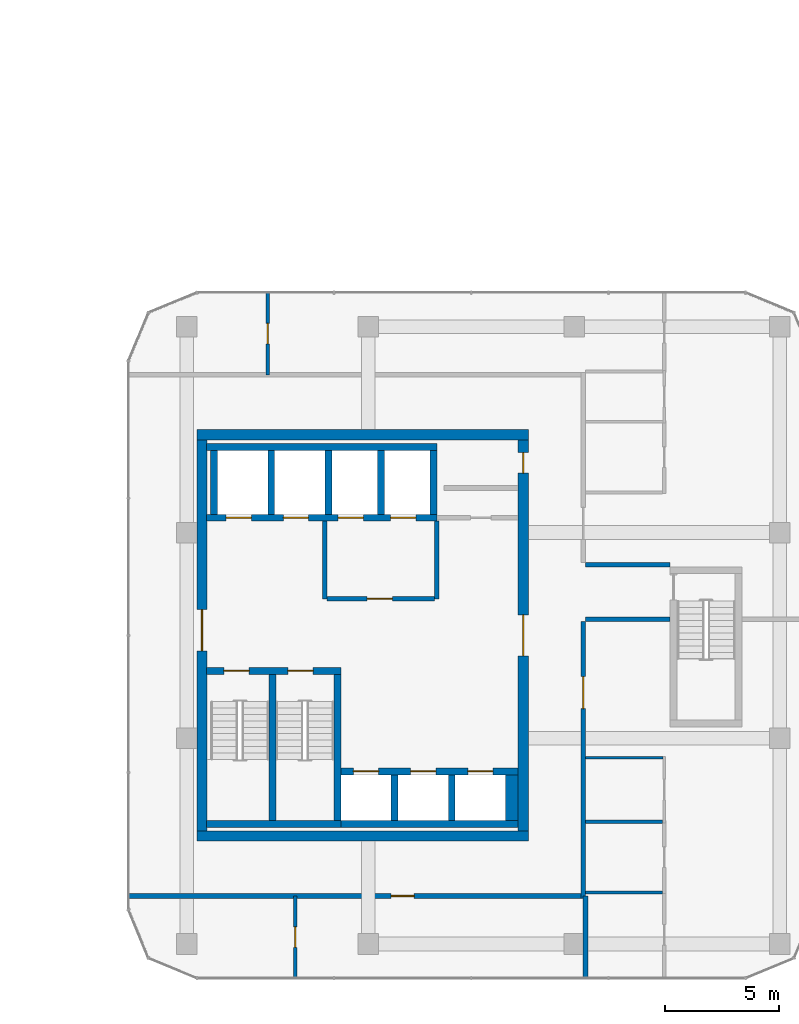
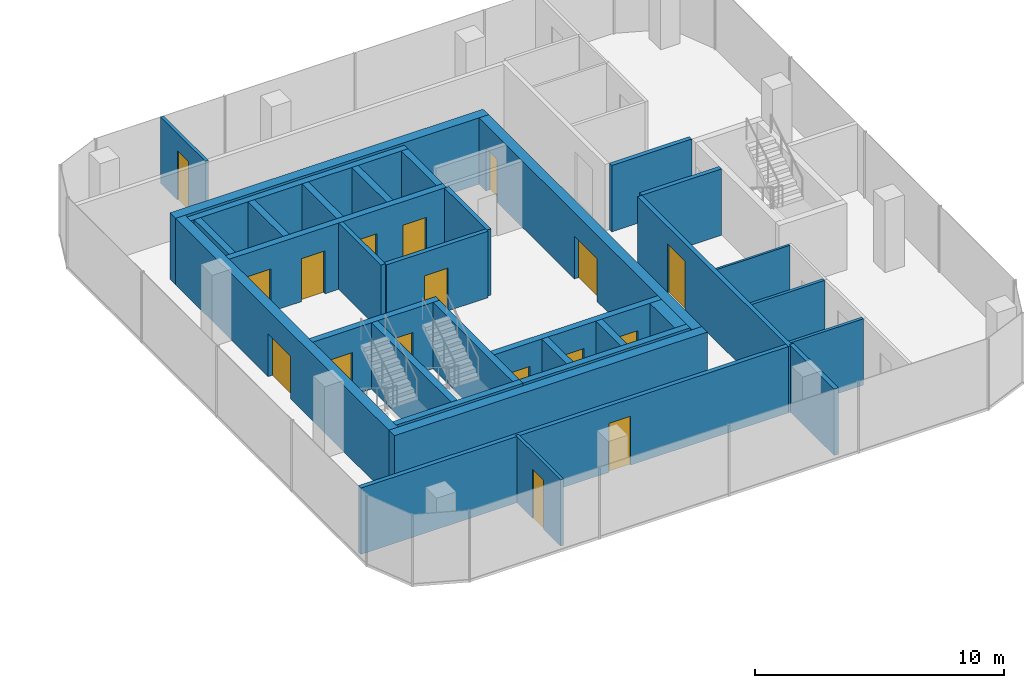
# One storey, part 18 of 27: 33 walls, 17 doors, 17 openings.
"""IFC4 building model written with IfcOpenShell, lengths in metres."""

from ifc_helpers import new_model, si_unit, direction, frame, frame_2d, origin, place, context, subcontext, project, spatial, rectangle, extrude, material, layer, layer_set, type_object, element, fill, save


model = new_model("IFC4")

# Units and contexts
model_context = context("Model", 3, precision=1e-05, world=origin(), true_north=direction((0.0, 1.0)))
body_context = subcontext(model_context, "Body", "Model", "MODEL_VIEW")
ifc_project = project(units=[si_unit("LENGTHUNIT", "METRE"), si_unit("AREAUNIT", "SQUARE_METRE"), si_unit("VOLUMEUNIT", "CUBIC_METRE"), si_unit("PLANEANGLEUNIT", "RADIAN"), si_unit("MASSUNIT", "GRAM", prefix="KILO")], contexts=[model_context])

# Site, building, storey
site_placement = place(None, origin())
site = spatial("IfcSite", under=ifc_project, at=site_placement, CompositionType="ELEMENT")
building_placement = place(site_placement, origin())
building = spatial("IfcBuilding", under=site, at=building_placement, Name="Plateau Cross Towers", CompositionType="ELEMENT")
storey_placement = place(building_placement, frame((0.0, 0.0, 78.300048828125)))
storey = spatial("IfcBuildingStorey", under=building, at=storey_placement, Name="L19", CompositionType="ELEMENT", Elevation=78.300048828125)

# Wall
ifc_material_1 = material(Name="Concrete block, plastered both sides", Category="concrete")
ifc_layer_1 = layer(ifc_material_1, 0.199951171875)
ifc_layer_set_1 = layer_set([ifc_layer_1], Name="Concrete block, plastered both sides")
wall_type_1 = type_object("IfcWallType", Name="Core partition 200", PredefinedType="PARTITIONING", material=ifc_layer_set_1)
wall_1_placement = place(storey_placement, frame((80.60009765625, 10.60009765625, 0.0), z_axis=(0.0, 0.0, 1.0), x_axis=(0.0, 1.0, 0.0)))
element("IfcWall", 1, at=wall_1_placement, inside=storey, type_object=wall_type_1, Name="Core partition", PredefinedType="PARTITIONING", context=body_context, shape_type="SweptSolid", body=[
    extrude(rectangle(XDim=3.39990234375, YDim=0.199951171875, at=frame_2d((1.699951171875, 0.0))), origin(), (0.0, 0.0, 1.0), 3.25),
])

# Wall, opening, door
wall_2_placement = place(storey_placement, frame((80.699951171875, 10.60009765625, 0.0), z_axis=(0.0, 0.0, 1.0), x_axis=(1.0, 0.0, 0.0)))
wall_2 = element("IfcWall", 2, at=wall_2_placement, inside=storey, type_object=wall_type_1, Name="Core partition", PredefinedType="PARTITIONING", context=body_context, shape_type="SweptSolid", body=[
    extrude(rectangle(XDim=4.699951171875, YDim=0.199951171875, at=frame_2d((2.35009765625, 0.0))), origin(), (0.0, 0.0, 1.0), 3.25),
])
opening_1_placement = place(wall_2_placement, frame((1.75, 0.0, 0.0)))
opening_1 = element("IfcOpeningElement", 3, at=opening_1_placement, cuts=wall_2, Name="Opening FFD", PredefinedType="OPENING", context=body_context, shape_type="SweptSolid", body=[
    extrude(rectangle(XDim=1.10009765625, YDim=2.10009765625, at=frame_2d((0.550048828125, 1.050048828125))), frame((0.0, 0.10986328125, 0.0), z_axis=(0.0, -1.0, 0.0), x_axis=(1.0, 0.0, 0.0)), (0.0, 0.0, 1.0), 0.219970703125),
])
ifc_material_2 = material(Name="Steel, fire-resisting leaf", Category="steel")
door_type_1 = type_object("IfcDoorType", Name="Firefighting lobby door 1100", OperationType="NOTDEFINED", PredefinedType="DOOR", material=ifc_material_2)
door_1_placement = place(opening_1_placement, origin())
door_1 = element("IfcDoor", 4, at=door_1_placement, inside=storey, type_object=door_type_1, Name="Firefighting lobby door FFD", OperationType="SINGLE_SWING_LEFT", OverallHeight=2.10009765625, OverallWidth=1.10009765625, PredefinedType="DOOR", context=body_context, shape_type="SweptSolid", body=[
    extrude(rectangle(XDim=1.10009765625, YDim=2.10009765625, at=frame_2d((0.550048828125, 1.050048828125))), frame((0.0, 0.02490234375, 0.0), z_axis=(0.0, -1.0, 0.0), x_axis=(1.0, 0.0, 0.0)), (0.0, 0.0, 1.0), 0.050048828125),
])
fill(opening_1, door_1)

# Walls
wall_3_placement = place(storey_placement, frame((85.5, 10.60009765625, 0.0), z_axis=(0.0, 0.0, 1.0), x_axis=(0.0, 1.0, 0.0)))
element("IfcWall", 5, at=wall_3_placement, inside=storey, type_object=wall_type_1, Name="Core partition", PredefinedType="PARTITIONING", context=body_context, shape_type="SweptSolid", body=[
    extrude(rectangle(XDim=3.39990234375, YDim=0.199951171875, at=frame_2d((1.699951171875, 0.0))), origin(), (0.0, 0.0, 1.0), 3.25),
])
ifc_material_3 = material(Name="Concrete C60/75", Category="concrete")
ifc_layer_2 = layer(ifc_material_3, 0.300048828125)
ifc_layer_set_2 = layer_set([ifc_layer_2], Name="Concrete C60/75")
wall_type_2 = type_object("IfcWallType", Name="Core shaft wall 300", PredefinedType="SHEAR", material=ifc_layer_set_2)
wall_4_placement = place(storey_placement, frame((75.429931640625, 0.75, 0.0), z_axis=(0.0, 0.0, 1.0), x_axis=(1.0, 0.0, 0.0)))
element("IfcWall", 6, at=wall_4_placement, inside=storey, type_object=wall_type_2, Name="B-sb-stS@L19", PredefinedType="SHEAR", context=body_context, shape_type="SweptSolid", body=[
    extrude(rectangle(XDim=5.8701171875, YDim=0.300048828125, at=frame_2d((2.93505859375, 0.0))), origin(), (0.0, 0.0, 1.0), 3.25),
])

# Wall, openings, doors
wall_5_placement = place(storey_placement, frame((75.429931640625, 7.449951171875, 0.0), z_axis=(0.0, 0.0, 1.0), x_axis=(1.0, 0.0, 0.0)))
wall_5 = element("IfcWall", 7, at=wall_5_placement, inside=storey, type_object=wall_type_2, Name="B-sb-stN@L19", PredefinedType="SHEAR", context=body_context, shape_type="SweptSolid", body=[
    extrude(rectangle(XDim=5.8701171875, YDim=0.300048828125, at=frame_2d((2.93505859375, 0.0))), origin(), (0.0, 0.0, 1.0), 3.25),
])
opening_2_placement = place(wall_5_placement, frame((0.75, 0.0, 0.0)))
opening_2 = element("IfcOpeningElement", 8, at=opening_2_placement, cuts=wall_5, Name="Opening SD", PredefinedType="OPENING", context=body_context, shape_type="SweptSolid", body=[
    extrude(rectangle(XDim=1.10009765625, YDim=2.10009765625, at=frame_2d((0.550048828125, 1.050048828125))), frame((0.0, 0.159912109375, 0.0), z_axis=(0.0, -1.0, 0.0), x_axis=(1.0, 0.0, 0.0)), (0.0, 0.0, 1.0), 0.320068359375),
])
opening_3_placement = place(wall_5_placement, frame((3.550048828125, 0.0, 0.0)))
opening_3 = element("IfcOpeningElement", 9, at=opening_3_placement, cuts=wall_5, Name="Opening SD", PredefinedType="OPENING", context=body_context, shape_type="SweptSolid", body=[
    extrude(rectangle(XDim=1.10009765625, YDim=2.10009765625, at=frame_2d((0.550048828125, 1.050048828125))), frame((0.0, 0.159912109375, 0.0), z_axis=(0.0, -1.0, 0.0), x_axis=(1.0, 0.0, 0.0)), (0.0, 0.0, 1.0), 0.320068359375),
])
door_type_2 = type_object("IfcDoorType", Name="Stair door 1100", OperationType="NOTDEFINED", PredefinedType="DOOR", material=ifc_material_2)
door_2_placement = place(opening_2_placement, origin())
door_2 = element("IfcDoor", 10, at=door_2_placement, inside=storey, type_object=door_type_2, Name="Stair door SD", OperationType="SINGLE_SWING_RIGHT", OverallHeight=2.10009765625, OverallWidth=1.10009765625, PredefinedType="DOOR", context=body_context, shape_type="SweptSolid", body=[
    extrude(rectangle(XDim=1.10009765625, YDim=2.10009765625, at=frame_2d((0.550048828125, 1.050048828125))), frame((0.0, 0.02490234375, 0.0), z_axis=(0.0, -1.0, 0.0), x_axis=(1.0, 0.0, 0.0)), (0.0, 0.0, 1.0), 0.050048828125),
])
fill(opening_2, door_2)
door_3_placement = place(opening_3_placement, origin())
door_3 = element("IfcDoor", 11, at=door_3_placement, inside=storey, type_object=door_type_2, Name="Stair door SD", OperationType="SINGLE_SWING_LEFT", OverallHeight=2.10009765625, OverallWidth=1.10009765625, PredefinedType="DOOR", context=body_context, shape_type="SweptSolid", body=[
    extrude(rectangle(XDim=1.10009765625, YDim=2.10009765625, at=frame_2d((0.550048828125, 1.050048828125))), frame((0.0, 0.02490234375, 0.0), z_axis=(0.0, -1.0, 0.0), x_axis=(1.0, 0.0, 0.0)), (0.0, 0.0, 1.0), 0.050048828125),
])
fill(opening_3, door_3)

# Walls
for number, where, z_axis, x_axis, name in (
    (12, (78.300048828125, 0.89990234375, 0.0), (0.0, 0.0, 1.0), (0.0, 1.0, 0.0), "B-sb-st1@L19"),
    (13, (81.14990234375, 0.89990234375, 0.0), (0.0, 0.0, 1.0), (0.0, 1.0, 0.0), "B-sb-st2@L19"),
):
    element("IfcWall", number, at=place(storey_placement, frame(where, z_axis=z_axis, x_axis=x_axis)), inside=storey, type_object=wall_type_2, Name=name, PredefinedType="SHEAR", context=body_context, shape_type="SweptSolid", body=[
        extrude(rectangle(XDim=6.400146484375, YDim=0.300048828125, at=frame_2d((3.2001953125, 0.0))), origin(), (0.0, 0.0, 1.0), 3.25),
    ])
wall_6_placement = place(storey_placement, frame((81.300048828125, 0.75, 0.0), z_axis=(0.0, 0.0, 1.0), x_axis=(1.0, 0.0, 0.0)))
element("IfcWall", 14, at=wall_6_placement, inside=storey, type_object=wall_type_2, Name="B-sb-back@L19", PredefinedType="SHEAR", context=body_context, shape_type="SweptSolid", body=[
    extrude(rectangle(XDim=7.75, YDim=0.300048828125, at=frame_2d((3.875, 0.0))), origin(), (0.0, 0.0, 1.0), 3.25),
])
for number, where, z_axis, x_axis, name in (
    (15, (83.64990234375, 0.89990234375, 0.0), (0.0, 0.0, 1.0), (0.0, 1.0, 0.0), "B-sb-v1@L19"),
    (16, (86.14990234375, 0.89990234375, 0.0), (0.0, 0.0, 1.0), (0.0, 1.0, 0.0), "B-sb-v2@L19"),
):
    element("IfcWall", number, at=place(storey_placement, frame(where, z_axis=z_axis, x_axis=x_axis)), inside=storey, type_object=wall_type_2, Name=name, PredefinedType="SHEAR", context=body_context, shape_type="SweptSolid", body=[
        extrude(rectangle(XDim=2.0, YDim=0.300048828125, at=frame_2d((1.0, 0.0))), origin(), (0.0, 0.0, 1.0), 3.25),
    ])

# Wall, openings, doors
wall_7_placement = place(storey_placement, frame((81.300048828125, 3.050048828125, 0.0), z_axis=(0.0, 0.0, 1.0), x_axis=(1.0, 0.0, 0.0)))
wall_7 = element("IfcWall", 17, at=wall_7_placement, inside=storey, type_object=wall_type_2, Name="B-sb-front@L19", PredefinedType="SHEAR", context=body_context, shape_type="SweptSolid", body=[
    extrude(rectangle(XDim=7.75, YDim=0.300048828125, at=frame_2d((3.875, 0.0))), origin(), (0.0, 0.0, 1.0), 3.25),
])
opening_4_placement = place(wall_7_placement, frame((0.550048828125, 0.0, 0.0)))
opening_4 = element("IfcOpeningElement", 18, at=opening_4_placement, cuts=wall_7, Name="Opening LD", PredefinedType="OPENING", context=body_context, shape_type="SweptSolid", body=[
    extrude(rectangle(XDim=1.10009765625, YDim=2.10009765625, at=frame_2d((0.550048828125, 1.050048828125))), frame((0.0, 0.159912109375, 0.0), z_axis=(0.0, -1.0, 0.0), x_axis=(1.0, 0.0, 0.0)), (0.0, 0.0, 1.0), 0.320068359375),
])
opening_5_placement = place(wall_7_placement, frame((3.050048828125, 0.0, 0.0)))
opening_5 = element("IfcOpeningElement", 19, at=opening_5_placement, cuts=wall_7, Name="Opening LD", PredefinedType="OPENING", context=body_context, shape_type="SweptSolid", body=[
    extrude(rectangle(XDim=1.10009765625, YDim=2.10009765625, at=frame_2d((0.550048828125, 1.050048828125))), frame((0.0, 0.159912109375, 0.0), z_axis=(0.0, -1.0, 0.0), x_axis=(1.0, 0.0, 0.0)), (0.0, 0.0, 1.0), 0.320068359375),
])
opening_6_placement = place(wall_7_placement, frame((5.550048828125, 0.0, 0.0)))
opening_6 = element("IfcOpeningElement", 20, at=opening_6_placement, cuts=wall_7, Name="Opening LD", PredefinedType="OPENING", context=body_context, shape_type="SweptSolid", body=[
    extrude(rectangle(XDim=1.10009765625, YDim=2.10009765625, at=frame_2d((0.550048828125, 1.050048828125))), frame((0.0, 0.159912109375, 0.0), z_axis=(0.0, -1.0, 0.0), x_axis=(1.0, 0.0, 0.0)), (0.0, 0.0, 1.0), 0.320068359375),
])
ifc_material_4 = material(Name="Stainless steel, fire-resisting sliding leaves", Category="steel")
door_type_3 = type_object("IfcDoorType", Name="Lift landing door 1100", OperationType="NOTDEFINED", PredefinedType="DOOR", material=ifc_material_4)
door_4_placement = place(opening_4_placement, origin())
door_4 = element("IfcDoor", 21, at=door_4_placement, inside=storey, type_object=door_type_3, Name="Lift landing door LD", OperationType="DOUBLE_DOOR_SLIDING", OverallHeight=2.10009765625, OverallWidth=1.10009765625, PredefinedType="DOOR", context=body_context, shape_type="SweptSolid", body=[
    extrude(rectangle(XDim=1.10009765625, YDim=2.10009765625, at=frame_2d((0.550048828125, 1.050048828125))), frame((0.0, 0.02490234375, 0.0), z_axis=(0.0, -1.0, 0.0), x_axis=(1.0, 0.0, 0.0)), (0.0, 0.0, 1.0), 0.050048828125),
])
fill(opening_4, door_4)
door_5_placement = place(opening_5_placement, origin())
door_5 = element("IfcDoor", 22, at=door_5_placement, inside=storey, type_object=door_type_3, Name="Lift landing door LD", OperationType="DOUBLE_DOOR_SLIDING", OverallHeight=2.10009765625, OverallWidth=1.10009765625, PredefinedType="DOOR", context=body_context, shape_type="SweptSolid", body=[
    extrude(rectangle(XDim=1.10009765625, YDim=2.10009765625, at=frame_2d((0.550048828125, 1.050048828125))), frame((0.0, 0.02490234375, 0.0), z_axis=(0.0, -1.0, 0.0), x_axis=(1.0, 0.0, 0.0)), (0.0, 0.0, 1.0), 0.050048828125),
])
fill(opening_5, door_5)
door_6_placement = place(opening_6_placement, origin())
door_6 = element("IfcDoor", 23, at=door_6_placement, inside=storey, type_object=door_type_3, Name="Lift landing door LD", OperationType="DOUBLE_DOOR_SLIDING", OverallHeight=2.10009765625, OverallWidth=1.10009765625, PredefinedType="DOOR", context=body_context, shape_type="SweptSolid", body=[
    extrude(rectangle(XDim=1.10009765625, YDim=2.10009765625, at=frame_2d((0.550048828125, 1.050048828125))), frame((0.0, 0.02490234375, 0.0), z_axis=(0.0, -1.0, 0.0), x_axis=(1.0, 0.0, 0.0)), (0.0, 0.0, 1.0), 0.050048828125),
])
fill(opening_6, door_6)

# Wall
wall_8_placement = place(storey_placement, frame((75.429931640625, 17.25, 0.0), z_axis=(0.0, 0.0, 1.0), x_axis=(1.0, 0.0, 0.0)))
element("IfcWall", 24, at=wall_8_placement, inside=storey, type_object=wall_type_2, Name="B-nb-back@L19", PredefinedType="SHEAR", context=body_context, shape_type="SweptSolid", body=[
    extrude(rectangle(XDim=10.070068359375, YDim=0.300048828125, at=frame_2d((5.03515625, 0.0))), origin(), (0.0, 0.0, 1.0), 3.25),
])

# Wall, openings, doors
wall_9_placement = place(storey_placement, frame((75.429931640625, 14.14990234375, 0.0), z_axis=(0.0, 0.0, 1.0), x_axis=(1.0, 0.0, 0.0)))
wall_9 = element("IfcWall", 25, at=wall_9_placement, inside=storey, type_object=wall_type_2, Name="B-nb-front@L19", PredefinedType="SHEAR", context=body_context, shape_type="SweptSolid", body=[
    extrude(rectangle(XDim=10.070068359375, YDim=0.300048828125, at=frame_2d((5.03515625, 0.0))), origin(), (0.0, 0.0, 1.0), 3.25),
])
opening_7_placement = place(wall_9_placement, frame((0.85009765625, 0.0, 0.0)))
opening_7 = element("IfcOpeningElement", 26, at=opening_7_placement, cuts=wall_9, Name="Opening LD", PredefinedType="OPENING", context=body_context, shape_type="SweptSolid", body=[
    extrude(rectangle(XDim=1.10009765625, YDim=2.10009765625, at=frame_2d((0.550048828125, 1.050048828125))), frame((0.0, 0.159912109375, 0.0), z_axis=(0.0, -1.0, 0.0), x_axis=(1.0, 0.0, 0.0)), (0.0, 0.0, 1.0), 0.320068359375),
])
opening_8_placement = place(wall_9_placement, frame((3.35009765625, 0.0, 0.0)))
opening_8 = element("IfcOpeningElement", 27, at=opening_8_placement, cuts=wall_9, Name="Opening LD", PredefinedType="OPENING", context=body_context, shape_type="SweptSolid", body=[
    extrude(rectangle(XDim=1.10009765625, YDim=2.10009765625, at=frame_2d((0.550048828125, 1.050048828125))), frame((0.0, 0.159912109375, 0.0), z_axis=(0.0, -1.0, 0.0), x_axis=(1.0, 0.0, 0.0)), (0.0, 0.0, 1.0), 0.320068359375),
])
opening_9_placement = place(wall_9_placement, frame((5.75, 0.0, 0.0)))
opening_9 = element("IfcOpeningElement", 28, at=opening_9_placement, cuts=wall_9, Name="Opening LD", PredefinedType="OPENING", context=body_context, shape_type="SweptSolid", body=[
    extrude(rectangle(XDim=1.10009765625, YDim=2.10009765625, at=frame_2d((0.550048828125, 1.050048828125))), frame((0.0, 0.159912109375, 0.0), z_axis=(0.0, -1.0, 0.0), x_axis=(1.0, 0.0, 0.0)), (0.0, 0.0, 1.0), 0.320068359375),
])
opening_10_placement = place(wall_9_placement, frame((8.050048828125, 0.0, 0.0)))
opening_10 = element("IfcOpeningElement", 29, at=opening_10_placement, cuts=wall_9, Name="Opening LD", PredefinedType="OPENING", context=body_context, shape_type="SweptSolid", body=[
    extrude(rectangle(XDim=1.10009765625, YDim=2.10009765625, at=frame_2d((0.550048828125, 1.050048828125))), frame((0.0, 0.159912109375, 0.0), z_axis=(0.0, -1.0, 0.0), x_axis=(1.0, 0.0, 0.0)), (0.0, 0.0, 1.0), 0.320068359375),
])
door_7_placement = place(opening_7_placement, origin())
door_7 = element("IfcDoor", 30, at=door_7_placement, inside=storey, type_object=door_type_3, Name="Lift landing door LD", OperationType="DOUBLE_DOOR_SLIDING", OverallHeight=2.10009765625, OverallWidth=1.10009765625, PredefinedType="DOOR", context=body_context, shape_type="SweptSolid", body=[
    extrude(rectangle(XDim=1.10009765625, YDim=2.10009765625, at=frame_2d((0.550048828125, 1.050048828125))), frame((0.0, 0.02490234375, 0.0), z_axis=(0.0, -1.0, 0.0), x_axis=(1.0, 0.0, 0.0)), (0.0, 0.0, 1.0), 0.050048828125),
])
fill(opening_7, door_7)
door_8_placement = place(opening_8_placement, origin())
door_8 = element("IfcDoor", 31, at=door_8_placement, inside=storey, type_object=door_type_3, Name="Lift landing door LD", OperationType="DOUBLE_DOOR_SLIDING", OverallHeight=2.10009765625, OverallWidth=1.10009765625, PredefinedType="DOOR", context=body_context, shape_type="SweptSolid", body=[
    extrude(rectangle(XDim=1.10009765625, YDim=2.10009765625, at=frame_2d((0.550048828125, 1.050048828125))), frame((0.0, 0.02490234375, 0.0), z_axis=(0.0, -1.0, 0.0), x_axis=(1.0, 0.0, 0.0)), (0.0, 0.0, 1.0), 0.050048828125),
])
fill(opening_8, door_8)
door_9_placement = place(opening_9_placement, origin())
door_9 = element("IfcDoor", 32, at=door_9_placement, inside=storey, type_object=door_type_3, Name="Lift landing door LD", OperationType="DOUBLE_DOOR_SLIDING", OverallHeight=2.10009765625, OverallWidth=1.10009765625, PredefinedType="DOOR", context=body_context, shape_type="SweptSolid", body=[
    extrude(rectangle(XDim=1.10009765625, YDim=2.10009765625, at=frame_2d((0.550048828125, 1.050048828125))), frame((0.0, 0.02490234375, 0.0), z_axis=(0.0, -1.0, 0.0), x_axis=(1.0, 0.0, 0.0)), (0.0, 0.0, 1.0), 0.050048828125),
])
fill(opening_9, door_9)
door_10_placement = place(opening_10_placement, origin())
door_10 = element("IfcDoor", 33, at=door_10_placement, inside=storey, type_object=door_type_3, Name="Lift landing door LD", OperationType="DOUBLE_DOOR_SLIDING", OverallHeight=2.10009765625, OverallWidth=1.10009765625, PredefinedType="DOOR", context=body_context, shape_type="SweptSolid", body=[
    extrude(rectangle(XDim=1.10009765625, YDim=2.10009765625, at=frame_2d((0.550048828125, 1.050048828125))), frame((0.0, 0.02490234375, 0.0), z_axis=(0.0, -1.0, 0.0), x_axis=(1.0, 0.0, 0.0)), (0.0, 0.0, 1.0), 0.050048828125),
])
fill(opening_10, door_10)

# Walls
for number, where, z_axis, x_axis, name in (
    (34, (75.75, 14.300048828125, 0.0), (0.0, 0.0, 1.0), (0.0, 1.0, 0.0), "B-nb-v0@L19"),
    (35, (78.25, 14.300048828125, 0.0), (0.0, 0.0, 1.0), (0.0, 1.0, 0.0), "B-nb-v1@L19"),
    (36, (80.75, 14.300048828125, 0.0), (0.0, 0.0, 1.0), (0.0, 1.0, 0.0), "B-nb-v2@L19"),
    (37, (83.050048828125, 14.300048828125, 0.0), (0.0, 0.0, 1.0), (0.0, 1.0, 0.0), "B-nb-v3@L19"),
    (38, (85.35009765625, 14.300048828125, 0.0), (0.0, 0.0, 1.0), (0.0, 1.0, 0.0), "B-nb-v4@L19"),
):
    element("IfcWall", number, at=place(storey_placement, frame(where, z_axis=z_axis, x_axis=x_axis)), inside=storey, type_object=wall_type_2, Name=name, PredefinedType="SHEAR", context=body_context, shape_type="SweptSolid", body=[
        extrude(rectangle(XDim=2.800048828125, YDim=0.300048828125, at=frame_2d((1.39990234375, 0.0))), origin(), (0.0, 0.0, 1.0), 3.25),
    ])
ifc_layer_3 = layer(ifc_material_3, 0.550048828125)
ifc_layer_set_3 = layer_set([ifc_layer_3], Name="Concrete C60/75")
wall_type_3 = type_object("IfcWallType", Name="Core shaft wall 550", PredefinedType="SHEAR", material=ifc_layer_set_3)
wall_10_placement = place(storey_placement, frame((88.77490234375, 0.89990234375, 0.0), z_axis=(0.0, 0.0, 1.0), x_axis=(0.0, 1.0, 0.0)))
element("IfcWall", 39, at=wall_10_placement, inside=storey, type_object=wall_type_3, Name="B-sb-v3@L19", PredefinedType="SHEAR", context=body_context, shape_type="SweptSolid", body=[
    extrude(rectangle(XDim=2.0, YDim=0.550048828125, at=frame_2d((1.0, 0.0))), origin(), (0.0, 0.0, 1.0), 3.25),
])
ifc_layer_4 = layer(ifc_material_3, 0.449951171875)
ifc_layer_set_4 = layer_set([ifc_layer_4], Name="Concrete C60/75")
wall_type_4 = type_object("IfcWallType", Name="Core shell wall 450", PredefinedType="SHEAR", material=ifc_layer_set_4)
for number, where, z_axis, x_axis, name in (
    (40, (75.0, 0.22509765625, 0.0), (0.0, 0.0, 1.0), (1.0, 0.0, 0.0), "B-core-S@L19"),
    (41, (75.0, 17.77490234375, 0.0), (0.0, 0.0, 1.0), (1.0, 0.0, 0.0), "B-core-N@L19"),
):
    element("IfcWall", number, at=place(storey_placement, frame(where, z_axis=z_axis, x_axis=x_axis)), inside=storey, type_object=wall_type_4, Name=name, PredefinedType="SHEAR", context=body_context, shape_type="SweptSolid", body=[
        extrude(rectangle(XDim=14.5, YDim=0.449951171875, at=frame_2d((7.25, 0.0))), origin(), (0.0, 0.0, 1.0), 3.25),
    ])

# Wall, opening, door
wall_11_placement = place(storey_placement, frame((75.22509765625, 0.449951171875, 0.0), z_axis=(0.0, 0.0, 1.0), x_axis=(0.0, 1.0, 0.0)))
wall_11 = element("IfcWall", 42, at=wall_11_placement, inside=storey, type_object=wall_type_4, Name="B-core-W@L19", PredefinedType="SHEAR", context=body_context, shape_type="SweptSolid", body=[
    extrude(rectangle(XDim=17.10009765625, YDim=0.449951171875, at=frame_2d((8.550048828125, 0.0))), origin(), (0.0, 0.0, 1.0), 3.25),
])
opening_11_placement = place(wall_11_placement, frame((7.875, 0.0, 0.0)))
opening_11 = element("IfcOpeningElement", 43, at=opening_11_placement, cuts=wall_11, Name="Opening CD", PredefinedType="OPENING", context=body_context, shape_type="SweptSolid", body=[
    extrude(rectangle(XDim=1.800048828125, YDim=2.10009765625, at=frame_2d((0.89990234375, 1.050048828125))), frame((0.0, 0.23486328125, 0.0), z_axis=(0.0, -1.0, 0.0), x_axis=(1.0, 0.0, 0.0)), (0.0, 0.0, 1.0), 0.469970703125),
])
ifc_material_5 = material(Name="Steel, fire-resisting leaves", Category="steel")
door_type_4 = type_object("IfcDoorType", Name="Corridor door pair 1800", OperationType="NOTDEFINED", PredefinedType="DOOR", material=ifc_material_5)
door_11_placement = place(opening_11_placement, origin())
door_11 = element("IfcDoor", 44, at=door_11_placement, inside=storey, type_object=door_type_4, Name="Corridor door pair CD", OperationType="DOUBLE_DOOR_SINGLE_SWING", OverallHeight=2.10009765625, OverallWidth=1.800048828125, PredefinedType="DOOR", context=body_context, shape_type="SweptSolid", body=[
    extrude(rectangle(XDim=1.800048828125, YDim=2.10009765625, at=frame_2d((0.89990234375, 1.050048828125))), frame((0.0, 0.02490234375, 0.0), z_axis=(0.0, -1.0, 0.0), x_axis=(1.0, 0.0, 0.0)), (0.0, 0.0, 1.0), 0.050048828125),
])
fill(opening_11, door_11)

# Wall, openings, doors
wall_12_placement = place(storey_placement, frame((89.27490234375, 0.449951171875, 0.0), z_axis=(0.0, 0.0, 1.0), x_axis=(0.0, 1.0, 0.0)))
wall_12 = element("IfcWall", 45, at=wall_12_placement, inside=storey, type_object=wall_type_4, Name="B-core-E@L19", PredefinedType="SHEAR", context=body_context, shape_type="SweptSolid", body=[
    extrude(rectangle(XDim=17.10009765625, YDim=0.449951171875, at=frame_2d((8.550048828125, 0.0))), origin(), (0.0, 0.0, 1.0), 3.25),
])
opening_12_placement = place(wall_12_placement, frame((7.64990234375, 0.0, 0.0)))
opening_12 = element("IfcOpeningElement", 46, at=opening_12_placement, cuts=wall_12, Name="Opening CD", PredefinedType="OPENING", context=body_context, shape_type="SweptSolid", body=[
    extrude(rectangle(XDim=1.800048828125, YDim=2.10009765625, at=frame_2d((0.89990234375, 1.050048828125))), frame((0.0, 0.23486328125, 0.0), z_axis=(0.0, -1.0, 0.0), x_axis=(1.0, 0.0, 0.0)), (0.0, 0.0, 1.0), 0.469970703125),
])
opening_13_placement = place(wall_12_placement, frame((15.64990234375, 0.0, 0.0)))
opening_13 = element("IfcOpeningElement", 47, at=opening_13_placement, cuts=wall_12, Name="Opening RD2", PredefinedType="OPENING", context=body_context, shape_type="SweptSolid", body=[
    extrude(rectangle(XDim=0.89990234375, YDim=2.10009765625, at=frame_2d((0.449951171875, 1.050048828125))), frame((0.0, 0.23486328125, 0.0), z_axis=(0.0, -1.0, 0.0), x_axis=(1.0, 0.0, 0.0)), (0.0, 0.0, 1.0), 0.469970703125),
])
door_type_5 = type_object("IfcDoorType", Name="Core riser door 900", OperationType="NOTDEFINED", PredefinedType="DOOR", material=ifc_material_2)
door_12_placement = place(opening_13_placement, origin())
door_12 = element("IfcDoor", 48, at=door_12_placement, inside=storey, type_object=door_type_5, Name="Core riser door RD2", OperationType="SINGLE_SWING_LEFT", OverallHeight=2.10009765625, OverallWidth=0.89990234375, PredefinedType="DOOR", context=body_context, shape_type="SweptSolid", body=[
    extrude(rectangle(XDim=0.89990234375, YDim=2.10009765625, at=frame_2d((0.449951171875, 1.050048828125))), frame((0.0, 0.02490234375, 0.0), z_axis=(0.0, -1.0, 0.0), x_axis=(1.0, 0.0, 0.0)), (0.0, 0.0, 1.0), 0.050048828125),
])
fill(opening_13, door_12)
door_13_placement = place(opening_12_placement, origin())
door_13 = element("IfcDoor", 49, at=door_13_placement, inside=storey, type_object=door_type_4, Name="Corridor door pair CD", OperationType="DOUBLE_DOOR_SINGLE_SWING", OverallHeight=2.10009765625, OverallWidth=1.800048828125, PredefinedType="DOOR", context=body_context, shape_type="SweptSolid", body=[
    extrude(rectangle(XDim=1.800048828125, YDim=2.10009765625, at=frame_2d((0.89990234375, 1.050048828125))), frame((0.0, 0.02490234375, 0.0), z_axis=(0.0, -1.0, 0.0), x_axis=(1.0, 0.0, 0.0)), (0.0, 0.0, 1.0), 0.050048828125),
])
fill(opening_12, door_13)

# Wall, opening, door
ifc_material_6 = material(Name="Gypsum board on steel studs, two layers each side", Category="steel")
ifc_layer_5 = layer(ifc_material_6, 0.199951171875)
ifc_layer_set_5 = layer_set([ifc_layer_5], Name="Gypsum board on steel studs, two layers each side")
wall_type_5 = type_object("IfcWallType", Name="Corridor wall 200", PredefinedType="PARTITIONING", material=ifc_layer_set_5)
wall_13_placement = place(storey_placement, frame((72.0, -2.39990234375, 0.0), z_axis=(0.0, 0.0, 1.0), x_axis=(1.0, 0.0, 0.0)))
wall_13 = element("IfcWall", 50, at=wall_13_placement, inside=storey, type_object=wall_type_5, Name="Ring wall", PredefinedType="PARTITIONING", context=body_context, shape_type="SweptSolid", body=[
    extrude(rectangle(XDim=20.0, YDim=0.199951171875, at=frame_2d((10.0, 0.0))), origin(), (0.0, 0.0, 1.0), 3.25),
])
opening_14_placement = place(wall_13_placement, frame((11.5, 0.0, 0.0)))
opening_14 = element("IfcOpeningElement", 51, at=opening_14_placement, cuts=wall_13, Name="Opening D-BO10", PredefinedType="OPENING", context=body_context, shape_type="SweptSolid", body=[
    extrude(rectangle(XDim=1.0, YDim=2.39990234375, at=frame_2d((0.5, 1.199951171875))), frame((0.0, 0.10986328125, 0.0), z_axis=(0.0, -1.0, 0.0), x_axis=(1.0, 0.0, 0.0)), (0.0, 0.0, 1.0), 0.219970703125),
])
ifc_material_7 = material(Name="Fire-resisting glazed leaf in a steel frame", Category="steel")
door_type_6 = type_object("IfcDoorType", Name="Office glazed entrance leaf 1000x2400", OperationType="NOTDEFINED", PredefinedType="DOOR", material=ifc_material_7)
door_14_placement = place(opening_14_placement, origin())
door_14 = element("IfcDoor", 52, at=door_14_placement, inside=storey, type_object=door_type_6, Name="Door D-BO10", OperationType="SINGLE_SWING_LEFT", OverallHeight=2.39990234375, OverallWidth=1.0, PredefinedType="DOOR", context=body_context, shape_type="SweptSolid", body=[
    extrude(rectangle(XDim=1.0, YDim=2.39990234375, at=frame_2d((0.5, 1.199951171875))), frame((0.0, 0.02490234375, 0.0), z_axis=(0.0, -1.0, 0.0), x_axis=(1.0, 0.0, 0.0)), (0.0, 0.0, 1.0), 0.050048828125),
])
fill(opening_14, door_14)

wall_14_placement = place(storey_placement, frame((91.89990234375, -2.5, 0.0), z_axis=(0.0, 0.0, 1.0), x_axis=(0.0, 1.0, 0.0)))
wall_14 = element("IfcWall", 53, at=wall_14_placement, inside=storey, type_object=wall_type_5, Name="Ring wall", PredefinedType="PARTITIONING", context=body_context, shape_type="SweptSolid", body=[
    extrude(rectangle(XDim=12.10009765625, YDim=0.199951171875, at=frame_2d((6.050048828125, 0.0))), origin(), (0.0, 0.0, 1.0), 3.25),
])
opening_15_placement = place(wall_14_placement, frame((8.300048828125, 0.0, 0.0)))
opening_15 = element("IfcOpeningElement", 54, at=opening_15_placement, cuts=wall_14, Name="Opening D-BE14", PredefinedType="OPENING", context=body_context, shape_type="SweptSolid", body=[
    extrude(rectangle(XDim=1.39990234375, YDim=2.39990234375, at=frame_2d((0.699951171875, 1.199951171875))), frame((0.0, 0.10986328125, 0.0), z_axis=(0.0, -1.0, 0.0), x_axis=(1.0, 0.0, 0.0)), (0.0, 0.0, 1.0), 0.219970703125),
])
ifc_material_8 = material(Name="Timber, fire-resisting leaves", Category="wood")
door_type_7 = type_object("IfcDoorType", Name="Tenant entrance double-leaf 1400x2400", OperationType="NOTDEFINED", PredefinedType="DOOR", material=ifc_material_8)
door_15_placement = place(opening_15_placement, origin())
door_15 = element("IfcDoor", 55, at=door_15_placement, inside=storey, type_object=door_type_7, Name="Door D-BE14", OperationType="DOUBLE_DOOR_SINGLE_SWING", OverallHeight=2.39990234375, OverallWidth=1.39990234375, PredefinedType="DOOR", context=body_context, shape_type="SweptSolid", body=[
    extrude(rectangle(XDim=1.39990234375, YDim=2.39990234375, at=frame_2d((0.699951171875, 1.199951171875))), frame((0.0, 0.02490234375, 0.0), z_axis=(0.0, -1.0, 0.0), x_axis=(1.0, 0.0, 0.0)), (0.0, 0.0, 1.0), 0.050048828125),
])
fill(opening_15, door_15)

# Walls
for number, where, z_axis, x_axis, name in (
    (56, (92.0, 9.699951171875, 0.0), (0.0, 0.0, 1.0), (1.0, 0.0, 0.0), "Ring wall"),
    (57, (92.0, 12.10009765625, 0.0), (0.0, 0.0, 1.0), (1.0, 0.0, 0.0), "Ring wall"),
):
    element("IfcWall", number, at=place(storey_placement, frame(where, z_axis=z_axis, x_axis=x_axis)), inside=storey, type_object=wall_type_5, Name=name, PredefinedType="PARTITIONING", context=body_context, shape_type="SweptSolid", body=[
        extrude(rectangle(XDim=3.699951171875, YDim=0.199951171875, at=frame_2d((1.85009765625, 0.0))), origin(), (0.0, 0.0, 1.0), 3.25),
    ])

# Wall, opening, door
ifc_material_9 = material(Name="Gypsum board on staggered steel studs, mineral wool, two layers each side", Category="steel")
ifc_layer_6 = layer(ifc_material_9, 0.139892578125)
ifc_layer_set_6 = layer_set([ifc_layer_6], Name="Gypsum board on staggered steel studs, mineral wool, two layers each side")
wall_type_6 = type_object("IfcWallType", Name="Meeting room acoustic partition 140", PredefinedType="PARTITIONING", material=ifc_layer_set_6)
wall_15_placement = place(storey_placement, frame((79.300048828125, -6.0, 0.0), z_axis=(0.0, 0.0, 1.0), x_axis=(0.0, 1.0, 0.0)))
wall_15 = element("IfcWall", 58, at=wall_15_placement, inside=storey, type_object=wall_type_6, Name="Acoustic wall", PredefinedType="PARTITIONING", context=body_context, shape_type="SweptSolid", body=[
    extrude(rectangle(XDim=3.60009765625, YDim=0.139892578125, at=frame_2d((1.800048828125, 0.0))), origin(), (0.0, 0.0, 1.0), 3.25),
])
opening_16_placement = place(wall_15_placement, frame((1.35009765625, 0.0, 0.0)))
opening_16 = element("IfcOpeningElement", 59, at=opening_16_placement, cuts=wall_15, Name="Opening D-BM9", PredefinedType="OPENING", context=body_context, shape_type="SweptSolid", body=[
    extrude(rectangle(XDim=0.89990234375, YDim=2.39990234375, at=frame_2d((0.449951171875, 1.199951171875))), frame((0.0, 0.079833984375, 0.0), z_axis=(0.0, -1.0, 0.0), x_axis=(1.0, 0.0, 0.0)), (0.0, 0.0, 1.0), 0.159912109375),
])
ifc_material_10 = material(Name="Timber leaf, full height", Category="wood")
door_type_8 = type_object("IfcDoorType", Name="Meeting room door 900x2400", OperationType="NOTDEFINED", PredefinedType="DOOR", material=ifc_material_10)
door_16_placement = place(opening_16_placement, origin())
door_16 = element("IfcDoor", 60, at=door_16_placement, inside=storey, type_object=door_type_8, Name="Door D-BM9", OperationType="SINGLE_SWING_LEFT", OverallHeight=2.39990234375, OverallWidth=0.89990234375, PredefinedType="DOOR", context=body_context, shape_type="SweptSolid", body=[
    extrude(rectangle(XDim=0.89990234375, YDim=2.39990234375, at=frame_2d((0.449951171875, 1.199951171875))), frame((0.0, 0.02490234375, 0.0), z_axis=(0.0, -1.0, 0.0), x_axis=(1.0, 0.0, 0.0)), (0.0, 0.0, 1.0), 0.050048828125),
])
fill(opening_16, door_16)

# Walls
for number, where, z_axis, x_axis, name in (
    (61, (92.0, -2.25, 0.0), (0.0, 0.0, 1.0), (1.0, 0.0, 0.0), "Acoustic wall"),
    (62, (92.0, 0.85009765625, 0.0), (0.0, 0.0, 1.0), (1.0, 0.0, 0.0), "Acoustic wall"),
):
    element("IfcWall", number, at=place(storey_placement, frame(where, z_axis=z_axis, x_axis=x_axis)), inside=storey, type_object=wall_type_6, Name=name, PredefinedType="PARTITIONING", context=body_context, shape_type="SweptSolid", body=[
        extrude(rectangle(XDim=3.3798828125, YDim=0.139892578125, at=frame_2d((1.68994140625, 0.0))), origin(), (0.0, 0.0, 1.0), 3.25),
    ])

# Wall, opening, door
wall_16_placement = place(storey_placement, frame((78.10009765625, 20.39990234375, 0.0), z_axis=(0.0, 0.0, 1.0), x_axis=(0.0, 1.0, 0.0)))
wall_16 = element("IfcWall", 63, at=wall_16_placement, inside=storey, type_object=wall_type_6, Name="Acoustic wall", PredefinedType="PARTITIONING", context=body_context, shape_type="SweptSolid", body=[
    extrude(rectangle(XDim=3.60009765625, YDim=0.139892578125, at=frame_2d((1.800048828125, 0.0))), origin(), (0.0, 0.0, 1.0), 3.25),
])
opening_17_placement = place(wall_16_placement, frame((1.35009765625, 0.0, 0.0)))
opening_17 = element("IfcOpeningElement", 64, at=opening_17_placement, cuts=wall_16, Name="Opening D-BM9", PredefinedType="OPENING", context=body_context, shape_type="SweptSolid", body=[
    extrude(rectangle(XDim=0.89990234375, YDim=2.39990234375, at=frame_2d((0.449951171875, 1.199951171875))), frame((0.0, 0.079833984375, 0.0), z_axis=(0.0, -1.0, 0.0), x_axis=(1.0, 0.0, 0.0)), (0.0, 0.0, 1.0), 0.159912109375),
])
door_17_placement = place(opening_17_placement, origin())
door_17 = element("IfcDoor", 65, at=door_17_placement, inside=storey, type_object=door_type_8, Name="Door D-BM9", OperationType="SINGLE_SWING_LEFT", OverallHeight=2.39990234375, OverallWidth=0.89990234375, PredefinedType="DOOR", context=body_context, shape_type="SweptSolid", body=[
    extrude(rectangle(XDim=0.89990234375, YDim=2.39990234375, at=frame_2d((0.449951171875, 1.199951171875))), frame((0.0, 0.02490234375, 0.0), z_axis=(0.0, -1.0, 0.0), x_axis=(1.0, 0.0, 0.0)), (0.0, 0.0, 1.0), 0.050048828125),
])
fill(opening_17, door_17)

# Walls
ifc_material_11 = material(Name="Gypsum board on steel studs", Category="steel")
ifc_layer_7 = layer(ifc_material_11, 0.10009765625)
ifc_layer_set_7 = layer_set([ifc_layer_7], Name="Gypsum board on steel studs")
wall_type_7 = type_object("IfcWallType", Name="Office partition 100", PredefinedType="PARTITIONING", material=ifc_layer_set_7)
wall_17_placement = place(storey_placement, frame((92.0, 3.64990234375, 0.0), z_axis=(0.0, 0.0, 1.0), x_axis=(1.0, 0.0, 0.0)))
element("IfcWall", 66, at=wall_17_placement, inside=storey, type_object=wall_type_7, Name="Part wall", PredefinedType="PARTITIONING", context=body_context, shape_type="SweptSolid", body=[
    extrude(rectangle(XDim=3.39990234375, YDim=0.10009765625, at=frame_2d((1.699951171875, 0.0))), origin(), (0.0, 0.0, 1.0), 3.25),
])
ifc_layer_8 = layer(ifc_material_6, 0.199951171875)
ifc_layer_set_8 = layer_set([ifc_layer_8], Name="Gypsum board on steel studs, two layers each side")
wall_type_8 = type_object("IfcWallType", Name="Tenancy demising wall 200", PredefinedType="PARTITIONING", material=ifc_layer_set_8)
wall_18_placement = place(storey_placement, frame((92.0, -6.0, 0.0), z_axis=(0.0, 0.0, 1.0), x_axis=(0.0, 1.0, 0.0)))
element("IfcWall", 67, at=wall_18_placement, inside=storey, type_object=wall_type_8, Name="Demising wall", PredefinedType="PARTITIONING", context=body_context, shape_type="SweptSolid", body=[
    extrude(rectangle(XDim=3.60009765625, YDim=0.199951171875, at=frame_2d((1.800048828125, 0.0))), origin(), (0.0, 0.0, 1.0), 3.25),
])

save(model, "model.ifc")
